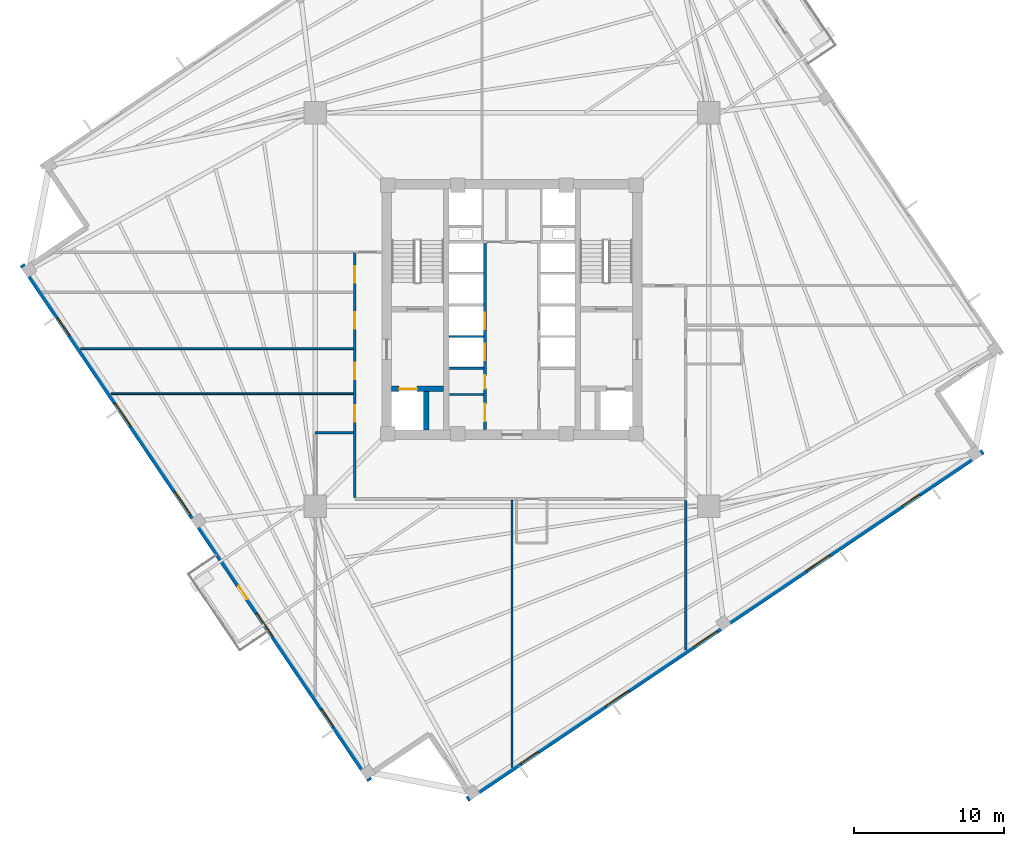
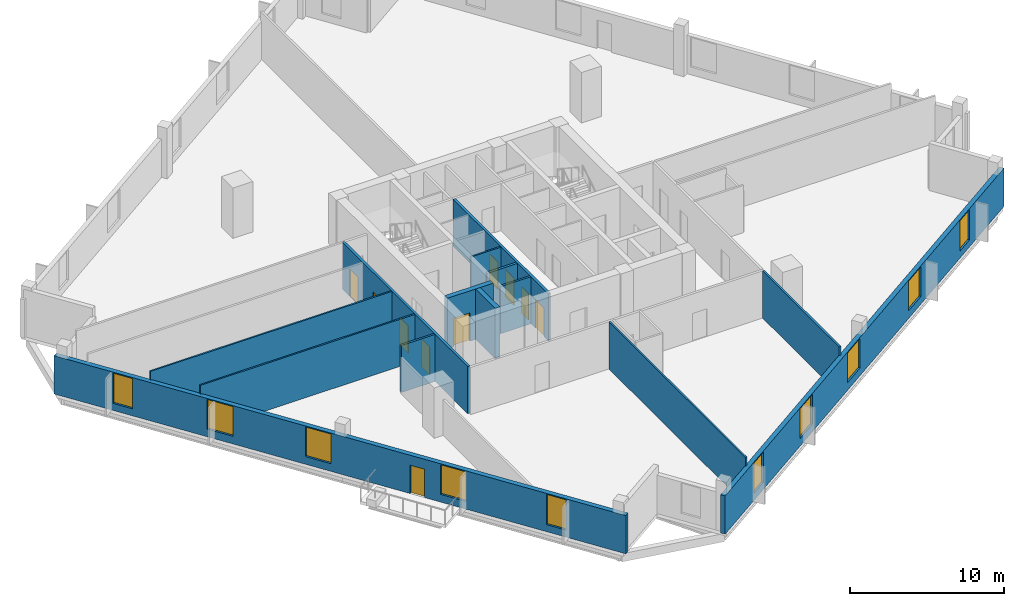
# One storey, part 3 of 9: 14 walls, 10 doors, 10 windows, 20 openings.
"""IFC4 building model written with IfcOpenShell, lengths in metres."""

import ifcopenshell
import ifcopenshell.guid

model = None  # the IFC model being written
_history = None  # IfcOwnerHistory: only IFC2X3 demands one
_inside = {}  # id of a spatial element -> (the spatial element, [elements in it])
_under = {}  # id of a project, library or spatial element -> (it, [spatial elements below it])
_declared = {}  # id of a project -> (the project, [libraries it declares])
_typed = {}  # id of a type object -> (the type object, [elements of that type])
_made_of = {}  # id of a material, layer set ... -> (it, [elements and type objects made of it])


def new_model(schema):
    """Start an empty IFC model of exactly this schema.

    Asked for "IFC4X3", IfcOpenShell would pick the latest addendum, in which some entities
    have other attributes; the version numbers below select the first issue.
    IFC2X3 requires an IfcOwnerHistory on every rooted entity: one is made here for all.
    """
    global model, _history
    if schema == "IFC4X3":
        model = ifcopenshell.file(schema_version=(4, 3, 0, 0))
    else:
        model = ifcopenshell.file(schema=schema)
    _inside.clear()
    _under.clear()
    _declared.clear()
    _typed.clear()
    _made_of.clear()
    _history = None
    if model.schema == "IFC2X3":
        org = make("IfcOrganization", Name="unknown")
        user = make(
            "IfcPersonAndOrganization",
            ThePerson=make("IfcPerson", FamilyName="unknown"),
            TheOrganization=org,
        )
        app = make(
            "IfcApplication",
            ApplicationDeveloper=org,
            Version="unknown",
            ApplicationFullName="unknown",
            ApplicationIdentifier="unknown",
        )
        _history = make(
            "IfcOwnerHistory",
            OwningUser=user,
            OwningApplication=app,
            ChangeAction="ADDED",
            CreationDate=0,
        )
    return model


def make(cls, **values):
    """One entity of the class cls with the attributes given. An attribute that is None is left unset."""
    return model.create_entity(
        cls, **{name: value for name, value in values.items() if value is not None}
    )


def rooted(cls, **values):
    """An entity with a GlobalId (a new one), such as an element, a storey or a relation."""
    return make(cls, GlobalId=ifcopenshell.guid.new(), OwnerHistory=_history, **values)


def si_unit(unit_type, name, prefix=None):
    """IfcSIUnit, for example si_unit("LENGTHUNIT", "METRE", prefix="MILLI")."""
    return make("IfcSIUnit", UnitType=unit_type, Prefix=prefix, Name=name)


def assignment(units):
    """IfcUnitAssignment: the units of a project."""
    return None if units is None else make("IfcUnitAssignment", Units=units)


def point(xyz):
    """IfcCartesianPoint."""
    return None if xyz is None else make("IfcCartesianPoint", Coordinates=xyz)


def direction(xyz):
    """IfcDirection."""
    return None if xyz is None else make("IfcDirection", DirectionRatios=xyz)


def frame(location, z_axis=None, x_axis=None):
    """IfcAxis2Placement3D, a coordinate frame: its origin and axes. An axis left out is left unset."""
    return make(
        "IfcAxis2Placement3D",
        Location=point(location),
        Axis=direction(z_axis),
        RefDirection=direction(x_axis),
    )


def frame_2d(location, x_axis=None):
    """IfcAxis2Placement2D, a coordinate frame in the plane: its origin and x axis."""
    return make(
        "IfcAxis2Placement2D", Location=point(location), RefDirection=direction(x_axis)
    )


def origin():
    """The frame at (0, 0, 0) with its axes left unset."""
    return frame((0.0, 0.0, 0.0))


def place(relative_to, where):
    """IfcLocalPlacement: puts the frame where relative to a parent placement (None: the world)."""
    return make(
        "IfcLocalPlacement", PlacementRelTo=relative_to, RelativePlacement=where
    )


def context(
    kind, dimensions, precision=None, world=None, true_north=None, identifier=None
):
    """IfcGeometricRepresentationContext, for example the 3D "Model" context."""
    return make(
        "IfcGeometricRepresentationContext",
        ContextIdentifier=identifier,
        ContextType=kind,
        CoordinateSpaceDimension=dimensions,
        Precision=precision,
        WorldCoordinateSystem=world,
        TrueNorth=true_north,
    )


def subcontext(parent, identifier, kind, view, scale=None):
    """IfcGeometricRepresentationSubContext, for example "Body" below "Model"."""
    return make(
        "IfcGeometricRepresentationSubContext",
        ContextIdentifier=identifier,
        ContextType=kind,
        ParentContext=parent,
        TargetScale=scale,
        TargetView=view,
    )


def project(units=None, contexts=None):
    """IfcProject with its units and contexts."""
    return rooted(
        "IfcProject",
        Name="project",
        RepresentationContexts=contexts,
        UnitsInContext=assignment(units),
    )


def spatial(cls, under=None, at=None, **own):
    """A site, building, storey or space (cls), placed at a placement, below another one or the project."""
    s = rooted(cls, ObjectPlacement=at, **own)
    if under is not None:
        _under.setdefault(under.id(), (under, []))[1].append(s)
    return s


def profile(cls, at=None, kind="AREA", **sizes):
    """A parametric profile (cls). Its sizes go by their IFC names, for example OverallWidth=200.0."""
    return make(cls, ProfileType=kind, Position=at, **sizes)


def rectangle(**sizes):
    """IfcRectangleProfileDef."""
    return profile("IfcRectangleProfileDef", **sizes)


def extrude(swept, where, along, depth):
    """IfcExtrudedAreaSolid: the profile swept, set in the frame where, extruded along a direction by depth."""
    return make(
        "IfcExtrudedAreaSolid",
        SweptArea=swept,
        Position=where,
        ExtrudedDirection=direction(along),
        Depth=depth,
    )


def shape(context_of_items, identifier, shape_type, items):
    """IfcShapeRepresentation: the items that make up one representation, for example the "Body"."""
    return make(
        "IfcShapeRepresentation",
        ContextOfItems=context_of_items,
        RepresentationIdentifier=identifier,
        RepresentationType=shape_type,
        Items=items,
    )


def source(mapping_origin, context_of_items, identifier, shape_type, items):
    """IfcRepresentationMap: a shape defined once, which mapped items show again and again."""
    return make(
        "IfcRepresentationMap",
        MappingOrigin=mapping_origin,
        MappedRepresentation=shape(context_of_items, identifier, shape_type, items),
    )


def transform(
    local_origin,
    x_axis=None,
    y_axis=None,
    z_axis=None,
    scale=None,
    scale2=None,
    scale3=None,
    uniform=True,
):
    """IfcCartesianTransformationOperator3D, or its non-uniform kind. x_axis, y_axis, z_axis: its Axis1, 2, 3."""
    if uniform:
        return make(
            "IfcCartesianTransformationOperator3D",
            Axis1=direction(x_axis),
            Axis2=direction(y_axis),
            LocalOrigin=point(local_origin),
            Scale=scale,
            Axis3=direction(z_axis),
        )
    return make(
        "IfcCartesianTransformationOperator3DnonUniform",
        Axis1=direction(x_axis),
        Axis2=direction(y_axis),
        LocalOrigin=point(local_origin),
        Scale=scale,
        Axis3=direction(z_axis),
        Scale2=scale2,
        Scale3=scale3,
    )


def mapped(mapping_source, mapping_target):
    """IfcMappedItem: shows the shape of a source again, moved by a transform."""
    return make(
        "IfcMappedItem", MappingSource=mapping_source, MappingTarget=mapping_target
    )


def material(Name=None, Category=None):
    """IfcMaterial."""
    return make("IfcMaterial", Name=Name, Category=Category)


def layer(
    of_material, thickness, ventilated=None, Name=None, Category=None, Priority=None
):
    """IfcMaterialLayer: one layer of a wall or slab, of a material (None: an air gap)."""
    return make(
        "IfcMaterialLayer",
        Material=of_material,
        LayerThickness=thickness,
        IsVentilated=ventilated,
        Name=Name,
        Category=Category,
        Priority=Priority,
    )


def layer_set(layers, Name=None):
    """IfcMaterialLayerSet."""
    return make("IfcMaterialLayerSet", MaterialLayers=layers, LayerSetName=Name)


def made_of(thing, what):
    """Note that an element or type object is made of a material, layer set ...; save() writes the relation."""
    if what is not None:
        _made_of.setdefault(what.id(), (what, []))[1].append(thing)
    return thing


def type_object(cls, material=None, **own):
    """A type object (cls), such as IfcWallType, which elements share."""
    return made_of(rooted(cls, **own), material)


def element(
    cls,
    number,
    at=None,
    inside=None,
    cuts=None,
    type_object=None,
    material=None,
    context=None,
    identifier="Body",
    shape_type=None,
    held_by="IfcProductDefinitionShape",
    body=None,
    shapes=None,
    **own,
):
    """One element of the class cls, such as IfcWall. Its Tag is "e" and its number.

    at: its placement. inside: the storey or other place that contains it. cuts: it is an
    opening in that element (IfcRelVoidsElement). A single representation is given by context,
    identifier, shape_type and body (its items); several are given by shapes. held_by: the class
    of the entity that holds the representations. save() writes the other relations.
    """
    e = rooted(cls, Tag="e%d" % number, ObjectPlacement=at, **own)
    if body is not None:
        shapes = [shape(context, identifier, shape_type, body)]
    if shapes is not None:
        e.Representation = make(held_by, Representations=shapes)
    if inside is not None:
        _inside.setdefault(inside.id(), (inside, []))[1].append(e)
    if cuts is not None:
        rooted(
            "IfcRelVoidsElement", RelatingBuildingElement=cuts, RelatedOpeningElement=e
        )
    if type_object is not None:
        _typed.setdefault(type_object.id(), (type_object, []))[1].append(e)
    return made_of(e, material)


def fill(opening, filler):
    """IfcRelFillsElement: the door or window that sits in an opening."""
    return rooted(
        "IfcRelFillsElement",
        RelatingOpeningElement=opening,
        RelatedBuildingElement=filler,
    )


def aggregate(whole, parts):
    """IfcRelAggregates: a whole, such as a stair, and the parts it consists of."""
    return rooted("IfcRelAggregates", RelatingObject=whole, RelatedObjects=parts)


def save(model, path):
    """Write the relations noted so far, then the file.

    IfcRelAggregates (storeys below a building ...), IfcRelContainedInSpatialStructure (elements
    in a storey), IfcRelDefinesByType, IfcRelAssociatesMaterial and IfcRelDeclares: one each for
    every whole, place, type object, material and project.
    """
    for whole, parts in _under.values():
        aggregate(whole, parts)
    for where, things in _inside.values():
        rooted(
            "IfcRelContainedInSpatialStructure",
            RelatedElements=things,
            RelatingStructure=where,
        )
    for kind, things in _typed.values():
        rooted("IfcRelDefinesByType", RelatedObjects=things, RelatingType=kind)
    for what, things in _made_of.values():
        rooted("IfcRelAssociatesMaterial", RelatedObjects=things, RelatingMaterial=what)
    for by, libraries in _declared.values():
        rooted("IfcRelDeclares", RelatingContext=by, RelatedDefinitions=libraries)
    model.write(path)


model = new_model("IFC4")

# Units and contexts
model_context = context("Model", 3, precision=1e-05, world=origin(), true_north=direction((0.0, 1.0)))
body_context = subcontext(model_context, "Body", "Model", "MODEL_VIEW")
ifc_project = project(units=[si_unit("LENGTHUNIT", "METRE"), si_unit("AREAUNIT", "SQUARE_METRE"), si_unit("VOLUMEUNIT", "CUBIC_METRE"), si_unit("PLANEANGLEUNIT", "RADIAN"), si_unit("MASSUNIT", "GRAM", prefix="KILO"), si_unit("THERMODYNAMICTEMPERATUREUNIT", "KELVIN")], contexts=[model_context])

# Site, building, storey
site_placement = place(None, origin())
site = spatial("IfcSite", under=ifc_project, at=site_placement, CompositionType="ELEMENT")
building_placement = place(site_placement, origin())
building = spatial("IfcBuilding", under=site, at=building_placement, Name="Kosmvard Interchange Tower", CompositionType="ELEMENT")
storey_placement = place(building_placement, frame((0.0, 0.0, 180.39990234375)))
storey = spatial("IfcBuildingStorey", under=building, at=storey_placement, Name="L43", CompositionType="ELEMENT", Elevation=180.39990234375)

# Walls
ifc_material_1 = material(Name="Acoustic gypsum partition system")
ifc_layer_1 = layer(ifc_material_1, 0.14990234375, Name="Acoustic gypsum partition system")
ifc_layer_set_1 = layer_set([ifc_layer_1], Name="Acoustic gypsum partition system")
wall_type_1 = type_object("IfcWallType", Name="Acoustic Suite & Meeting Partition 150", PredefinedType="PARTITIONING", material=ifc_layer_set_1)
wall_1_placement = place(storey_placement, frame((-10.544921875, -8.199951171875, 0.0), z_axis=(0.0, 0.0, 1.0), x_axis=(-1.0, 0.0, 0.0)))
element("IfcWall", 1, at=wall_1_placement, inside=storey, type_object=wall_type_1, Name="L43 Room Partition 06.1", PredefinedType="PARTITIONING", context=body_context, shape_type="SweptSolid", body=[
    extrude(rectangle(XDim=2.5361328125, YDim=0.14990234375, at=frame_2d((1.26806640625, 0.0))), origin(), (0.0, 0.0, 1.0), 3.739990234375),
])
wall_2_placement = place(storey_placement, frame((11.550048828125, -22.63623046875, 0.0), z_axis=(0.0, 0.0, 1.0), x_axis=(0.0, 1.0, 0.0)))
element("IfcWall", 2, at=wall_2_placement, inside=storey, type_object=wall_type_1, Name="L43 Room Partition 11.1", PredefinedType="PARTITIONING", context=body_context, shape_type="SweptSolid", body=[
    extrude(rectangle(XDim=9.941162109375, YDim=0.14990234375, at=frame_2d((4.970703125, 0.0))), origin(), (0.0, 0.0, 1.0), 3.739990234375),
])
ifc_material_2 = material(Name="Fire-rated gypsum partition system")
ifc_layer_2 = layer(ifc_material_2, 0.159912109375, Name="Fire-rated gypsum partition system")
ifc_layer_set_2 = layer_set([ifc_layer_2], Name="Fire-rated gypsum partition system")
wall_type_2 = type_object("IfcWallType", Name="Core Compartment & Shuttle Lobby Partition 160", PredefinedType="PARTITIONING", material=ifc_layer_set_2)
wall_3_placement = place(storey_placement, frame((-4.169921875, -5.64990234375, 0.0), z_axis=(0.0, 0.0, 1.0), x_axis=(1.0, 0.0, 0.0)))
element("IfcWall", 3, at=wall_3_placement, inside=storey, type_object=wall_type_2, Name="L43 Reclaimed Split W", PredefinedType="PARTITIONING", context=body_context, shape_type="SweptSolid", body=[
    extrude(rectangle(XDim=2.280029296875, YDim=0.159912109375, at=frame_2d((1.14013671875, 0.0))), origin(), (0.0, 0.0, 1.0), 3.739990234375),
])

# Wall, openings, doors
ifc_layer_3 = layer(ifc_material_2, 0.179931640625, Name="Fire-rated gypsum partition system")
ifc_layer_set_3 = layer_set([ifc_layer_3], Name="Fire-rated gypsum partition system")
wall_type_3 = type_object("IfcWallType", Name="Corridor & Hotel Compartment Partition 180", PredefinedType="PARTITIONING", material=ifc_layer_set_3)
wall_4_placement = place(storey_placement, frame((-1.7900390625, -7.97998046875, 0.0), z_axis=(0.0, 0.0, 1.0), x_axis=(0.0, 1.0, 0.0)))
wall_4 = element("IfcWall", 4, at=wall_4_placement, inside=storey, type_object=wall_type_3, Name="L43 West Lift Bank Front Wall", PredefinedType="PARTITIONING", context=body_context, shape_type="SweptSolid", body=[
    extrude(rectangle(XDim=12.3798828125, YDim=0.179931640625, at=frame_2d((6.18994140625, 0.0))), origin(), (0.0, 0.0, 1.0), 3.739990234375),
])
opening_1_placement = place(wall_4_placement, frame((4.60009765625, 0.0, 0.0)))
opening_1 = element("IfcOpeningElement", 5, at=opening_1_placement, cuts=wall_4, Name="Opening LD-PL-M1-L43", PredefinedType="OPENING", context=body_context, shape_type="SweptSolid", body=[
    extrude(rectangle(XDim=1.10009765625, YDim=2.199951171875, at=frame_2d((0.550048828125, 1.10009765625))), frame((0.0, 0.10009765625, 0.0), z_axis=(0.0, -1.0, 0.0), x_axis=(1.0, 0.0, 0.0)), (0.0, 0.0, 1.0), 0.199951171875),
])
opening_2_placement = place(wall_4_placement, frame((6.659912109375, 0.0, 0.0)))
opening_2 = element("IfcOpeningElement", 6, at=opening_2_placement, cuts=wall_4, Name="Opening LD-PL-M2-L43", PredefinedType="OPENING", context=body_context, shape_type="SweptSolid", body=[
    extrude(rectangle(XDim=1.10009765625, YDim=2.199951171875, at=frame_2d((0.550048828125, 1.10009765625))), frame((0.0, 0.10009765625, 0.0), z_axis=(0.0, -1.0, 0.0), x_axis=(1.0, 0.0, 0.0)), (0.0, 0.0, 1.0), 0.199951171875),
])
opening_3_placement = place(wall_4_placement, frame((0.550048828125, 0.0, 0.0)))
opening_3 = element("IfcOpeningElement", 7, at=opening_3_placement, cuts=wall_4, Name="Opening L43-CD1", PredefinedType="OPENING", context=body_context, shape_type="SweptSolid", body=[
    extrude(rectangle(XDim=1.14990234375, YDim=2.25, at=frame_2d((0.574951171875, 1.125))), frame((0.0, 0.10009765625, 0.0), z_axis=(0.0, -1.0, 0.0), x_axis=(1.0, 0.0, 0.0)), (0.0, 0.0, 1.0), 0.199951171875),
])
opening_4_placement = place(wall_4_placement, frame((2.719970703125, 0.0, 0.0)))
opening_4 = element("IfcOpeningElement", 8, at=opening_4_placement, cuts=wall_4, Name="Opening L43-CD2", PredefinedType="OPENING", context=body_context, shape_type="SweptSolid", body=[
    extrude(rectangle(XDim=0.8798828125, YDim=2.10009765625, at=frame_2d((0.43994140625, 1.050048828125))), frame((0.0, 0.10009765625, 0.0), z_axis=(0.0, -1.0, 0.0), x_axis=(1.0, 0.0, 0.0)), (0.0, 0.0, 1.0), 0.199951171875),
])
ifc_material_3 = material(Name="Painted fire-rated steel leaf", Category="steel")
door_type_1 = type_object("IfcDoorType", Name="Plant & Riser Fire Door 1150x2250 EI60", OperationType="NOTDEFINED", PredefinedType="DOOR", material=ifc_material_3)
shared_shape_1 = source(origin(), body_context, "Body", "SweptSolid", [
    extrude(rectangle(XDim=1.14990234375, YDim=2.25, at=frame_2d((0.574951171875, 1.125))), frame((0.0, 0.02490234375, 0.0), z_axis=(0.0, -1.0, 0.0), x_axis=(1.0, 0.0, 0.0)), (0.0, 0.0, 1.0), 0.050048828125),
])
door_1_placement = place(opening_3_placement, origin())
door_1 = element("IfcDoor", 9, at=door_1_placement, inside=storey, type_object=door_type_1, Name="L43 Core Archive Door", OperationType="SINGLE_SWING_LEFT", OverallHeight=2.25, OverallWidth=1.14990234375, PredefinedType="DOOR", context=body_context, shape_type="MappedRepresentation", body=[
    mapped(shared_shape_1, transform((0.0, 0.0, 0.0), scale=1.0)),
])
fill(opening_3, door_1)
ifc_material_4 = material(Name="Brushed stainless steel sliding leaf", Category="steel")
door_type_2 = type_object("IfcDoorType", Name="Passenger Lift Sliding Landing Door 1100x2200 EI60", OperationType="DOUBLE_DOOR_SLIDING", PredefinedType="DOOR", material=ifc_material_4)
shared_shape_2 = source(origin(), body_context, "Body", "SweptSolid", [
    extrude(rectangle(XDim=1.10009765625, YDim=2.199951171875, at=frame_2d((0.550048828125, 1.10009765625))), frame((0.0, 0.02490234375, 0.0), z_axis=(0.0, -1.0, 0.0), x_axis=(1.0, 0.0, 0.0)), (0.0, 0.0, 1.0), 0.050048828125),
])
door_2_placement = place(opening_1_placement, frame((1.10009765625, 0.0, 0.0), z_axis=(0.0, 0.0, 1.0), x_axis=(-1.0, 0.0, 0.0)))
door_2 = element("IfcDoor", 10, at=door_2_placement, inside=storey, type_object=door_type_2, Name="Lift PL-M1 Landing Door L43", OperationType="DOUBLE_DOOR_SLIDING", OverallHeight=2.199951171875, OverallWidth=1.10009765625, PredefinedType="DOOR", context=body_context, shape_type="MappedRepresentation", body=[
    mapped(shared_shape_2, transform((0.0, 0.0, 0.0), scale=1.0)),
])
fill(opening_1, door_2)
door_3_placement = place(opening_2_placement, frame((1.10009765625, 0.0, 0.0), z_axis=(0.0, 0.0, 1.0), x_axis=(-1.0, 0.0, 0.0)))
door_3 = element("IfcDoor", 11, at=door_3_placement, inside=storey, type_object=door_type_2, Name="Lift PL-M2 Landing Door L43", OperationType="DOUBLE_DOOR_SLIDING", OverallHeight=2.199951171875, OverallWidth=1.10009765625, PredefinedType="DOOR", context=body_context, shape_type="MappedRepresentation", body=[
    mapped(shared_shape_2, transform((0.0, 0.0, 0.0), scale=1.0)),
])
fill(opening_2, door_3)
ifc_material_5 = material(Name="Painted fire-rated timber leaf", Category="wood")
door_type_3 = type_object("IfcDoorType", Name="Core Cupboard Fire Door 880x2100 EI30", OperationType="NOTDEFINED", PredefinedType="DOOR", material=ifc_material_5)
shared_shape_3 = source(origin(), body_context, "Body", "SweptSolid", [
    extrude(rectangle(XDim=0.8798828125, YDim=2.10009765625, at=frame_2d((0.43994140625, 1.050048828125))), frame((0.0, 0.02490234375, 0.0), z_axis=(0.0, -1.0, 0.0), x_axis=(1.0, 0.0, 0.0)), (0.0, 0.0, 1.0), 0.050048828125),
])
door_4_placement = place(opening_4_placement, origin())
door_4 = element("IfcDoor", 12, at=door_4_placement, inside=storey, type_object=door_type_3, Name="L43 Core Supplies Door", OperationType="SINGLE_SWING_RIGHT", OverallHeight=2.10009765625, OverallWidth=0.8798828125, PredefinedType="DOOR", context=body_context, shape_type="MappedRepresentation", body=[
    mapped(shared_shape_3, transform((0.0, 0.0, 0.0), scale=1.0)),
])
fill(opening_4, door_4)

wall_5_placement = place(storey_placement, frame((-10.449951171875, -12.5, 0.0), z_axis=(0.0, 0.0, 1.0), x_axis=(0.0, 1.0, 0.0)))
wall_5 = element("IfcWall", 13, at=wall_5_placement, inside=storey, type_object=wall_type_3, Name="L43 Corridor Wall CW", PredefinedType="PARTITIONING", context=body_context, shape_type="SweptSolid", body=[
    extrude(rectangle(XDim=16.300048828125, YDim=0.179931640625, at=frame_2d((8.14990234375, 0.0))), origin(), (0.0, 0.0, 1.0), 3.739990234375),
])
opening_5_placement = place(wall_5_placement, frame((14.260498046875, 0.0, 0.0)))
opening_5 = element("IfcOpeningElement", 14, at=opening_5_placement, cuts=wall_5, Name="Opening L43-D03", PredefinedType="OPENING", context=body_context, shape_type="SweptSolid", body=[
    extrude(rectangle(XDim=1.10009765625, YDim=2.199951171875, at=frame_2d((0.550048828125, 1.10009765625))), frame((0.0, 0.10009765625, 0.0), z_axis=(0.0, -1.0, 0.0), x_axis=(1.0, 0.0, 0.0)), (0.0, 0.0, 1.0), 0.199951171875),
])
opening_6_placement = place(wall_5_placement, frame((11.22509765625, 0.0, 0.0)))
opening_6 = element("IfcOpeningElement", 15, at=opening_6_placement, cuts=wall_5, Name="Opening L43-D07", PredefinedType="OPENING", context=body_context, shape_type="SweptSolid", body=[
    extrude(rectangle(XDim=1.10009765625, YDim=2.199951171875, at=frame_2d((0.550048828125, 1.10009765625))), frame((0.0, 0.10009765625, 0.0), z_axis=(0.0, -1.0, 0.0), x_axis=(1.0, 0.0, 0.0)), (0.0, 0.0, 1.0), 0.199951171875),
])
opening_7_placement = place(wall_5_placement, frame((7.85009765625, 0.0, 0.0)))
opening_7 = element("IfcOpeningElement", 16, at=opening_7_placement, cuts=wall_5, Name="Opening L43-D08", PredefinedType="OPENING", context=body_context, shape_type="SweptSolid", body=[
    extrude(rectangle(XDim=1.10009765625, YDim=2.199951171875, at=frame_2d((0.550048828125, 1.10009765625))), frame((0.0, 0.10009765625, 0.0), z_axis=(0.0, -1.0, 0.0), x_axis=(1.0, 0.0, 0.0)), (0.0, 0.0, 1.0), 0.199951171875),
])
opening_8_placement = place(wall_5_placement, frame((5.050048828125, 0.0, 0.0)))
opening_8 = element("IfcOpeningElement", 17, at=opening_8_placement, cuts=wall_5, Name="Opening L43-D09", PredefinedType="OPENING", context=body_context, shape_type="SweptSolid", body=[
    extrude(rectangle(XDim=1.10009765625, YDim=2.199951171875, at=frame_2d((0.550048828125, 1.10009765625))), frame((0.0, 0.10009765625, 0.0), z_axis=(0.0, -1.0, 0.0), x_axis=(1.0, 0.0, 0.0)), (0.0, 0.0, 1.0), 0.199951171875),
])
ifc_material_6 = material(Name="Engineered oak fire-rated timber", Category="wood")
door_type_4 = type_object("IfcDoorType", Name="Office Suite Entrance Door 1100x2200 FD30S", OperationType="NOTDEFINED", PredefinedType="DOOR", material=ifc_material_6)
door_5_placement = place(opening_5_placement, origin())
door_5 = element("IfcDoor", 18, at=door_5_placement, inside=storey, type_object=door_type_4, Name="L43 Staff Wellness Clinic Door", OperationType="SINGLE_SWING_LEFT", OverallHeight=2.199951171875, OverallWidth=1.10009765625, PredefinedType="DOOR", context=body_context, shape_type="MappedRepresentation", body=[
    mapped(shared_shape_2, transform((0.0, 0.0, 0.0), scale=1.0)),
])
fill(opening_5, door_5)
door_6_placement = place(opening_6_placement, origin())
door_6 = element("IfcDoor", 19, at=door_6_placement, inside=storey, type_object=door_type_4, Name="L43 West Lead Engineer Office 1 Door", OperationType="SINGLE_SWING_LEFT", OverallHeight=2.199951171875, OverallWidth=1.10009765625, PredefinedType="DOOR", context=body_context, shape_type="MappedRepresentation", body=[
    mapped(shared_shape_2, transform((0.0, 0.0, 0.0), scale=1.0)),
])
fill(opening_6, door_6)
door_7_placement = place(opening_7_placement, origin())
door_7 = element("IfcDoor", 20, at=door_7_placement, inside=storey, type_object=door_type_4, Name="L43 West Security Office 2 Door", OperationType="SINGLE_SWING_RIGHT", OverallHeight=2.199951171875, OverallWidth=1.10009765625, PredefinedType="DOOR", context=body_context, shape_type="MappedRepresentation", body=[
    mapped(shared_shape_2, transform((0.0, 0.0, 0.0), scale=1.0)),
])
fill(opening_7, door_7)
door_8_placement = place(opening_8_placement, origin())
door_8 = element("IfcDoor", 21, at=door_8_placement, inside=storey, type_object=door_type_4, Name="L43 Cafe Servery Kitchen Door", OperationType="SINGLE_SWING_LEFT", OverallHeight=2.199951171875, OverallWidth=1.10009765625, PredefinedType="DOOR", context=body_context, shape_type="MappedRepresentation", body=[
    mapped(shared_shape_2, transform((0.0, 0.0, 0.0), scale=1.0)),
])
fill(opening_8, door_8)

# Wall, openings, windows
ifc_material_7 = material(Name="Precast concrete C45/55", Category="concrete")
ifc_layer_4 = layer(ifc_material_7, 0.340087890625, Name="Precast concrete C45/55")
ifc_layer_set_4 = layer_set([ifc_layer_4], Name="Precast concrete C45/55")
wall_type_4 = type_object("IfcWallType", Name="Mid Tower Precast Pier Wall 340 C45/55", PredefinedType="STANDARD", material=ifc_layer_set_4)
wall_6_placement = place(storey_placement, frame((-2.971923828125, -32.55810546875, 0.0), z_axis=(0.0, 0.0, 1.0), x_axis=(0.829036218961, 0.559194910251, 0.0)))
wall_6 = element("IfcWall", 22, at=wall_6_placement, inside=storey, type_object=wall_type_4, Name="L43 Precast Facade Wall F-S", PredefinedType="STANDARD", context=body_context, shape_type="SweptSolid", body=[
    extrude(rectangle(XDim=41.340087890625, YDim=0.340087890625, at=frame_2d((20.669921875, 0.0))), origin(), (0.0, 0.0, 1.0), 3.0400390625),
])
opening_9_placement = place(wall_6_placement, frame((4.2607421875, 0.0, 0.56005859375)))
opening_9 = element("IfcOpeningElement", 23, at=opening_9_placement, cuts=wall_6, Name="Opening L43-W01", PredefinedType="OPENING", context=body_context, shape_type="SweptSolid", body=[
    extrude(rectangle(XDim=1.39990234375, YDim=2.39990234375, at=frame_2d((0.699951171875, 1.199951171875))), frame((0.0, 0.18017578125, 0.0), z_axis=(0.0, -1.0, 0.0), x_axis=(1.0, 0.0, 0.0)), (0.0, 0.0, 1.0), 0.360107421875),
])
opening_10_placement = place(wall_6_placement, frame((11.063720703125, 0.0, 0.610107421875)))
opening_10 = element("IfcOpeningElement", 24, at=opening_10_placement, cuts=wall_6, Name="Opening L43-W02", PredefinedType="OPENING", context=body_context, shape_type="SweptSolid", body=[
    extrude(rectangle(XDim=1.85009765625, YDim=2.35009765625, at=frame_2d((0.925048828125, 1.175048828125))), frame((0.0, 0.18017578125, 0.0), z_axis=(0.0, -1.0, 0.0), x_axis=(1.0, 0.0, 0.0)), (0.0, 0.0, 1.0), 0.360107421875),
])
opening_11_placement = place(wall_6_placement, frame((18.168212890625, 0.0, 0.610107421875)))
opening_11 = element("IfcOpeningElement", 25, at=opening_11_placement, cuts=wall_6, Name="Opening L43-W03", PredefinedType="OPENING", context=body_context, shape_type="SweptSolid", body=[
    extrude(rectangle(XDim=1.85009765625, YDim=2.35009765625, at=frame_2d((0.925048828125, 1.175048828125))), frame((0.0, 0.18017578125, 0.0), z_axis=(0.0, -1.0, 0.0), x_axis=(1.0, 0.0, 0.0)), (0.0, 0.0, 1.0), 0.360107421875),
])
opening_12_placement = place(wall_6_placement, frame((27.186279296875, 0.0, 0.610107421875)))
opening_12 = element("IfcOpeningElement", 26, at=opening_12_placement, cuts=wall_6, Name="Opening L43-W04", PredefinedType="OPENING", context=body_context, shape_type="SweptSolid", body=[
    extrude(rectangle(XDim=1.85009765625, YDim=2.35009765625, at=frame_2d((0.925048828125, 1.175048828125))), frame((0.0, 0.18017578125, 0.0), z_axis=(0.0, -1.0, 0.0), x_axis=(1.0, 0.0, 0.0)), (0.0, 0.0, 1.0), 0.360107421875),
])
opening_13_placement = place(wall_6_placement, frame((34.852294921875, 0.0, 0.56005859375)))
opening_13 = element("IfcOpeningElement", 27, at=opening_13_placement, cuts=wall_6, Name="Opening L43-W05", PredefinedType="OPENING", context=body_context, shape_type="SweptSolid", body=[
    extrude(rectangle(XDim=1.39990234375, YDim=2.39990234375, at=frame_2d((0.699951171875, 1.199951171875))), frame((0.0, 0.18017578125, 0.0), z_axis=(0.0, -1.0, 0.0), x_axis=(1.0, 0.0, 0.0)), (0.0, 0.0, 1.0), 0.360107421875),
])
ifc_material_8 = material(Name="Low-E solar-control double glazing", Category="glass")
window_type_1 = type_object("IfcWindowType", Name="Notched Corner Feature Window 1400x2400", PartitioningType="SINGLE_PANEL", PredefinedType="WINDOW", material=ifc_material_8)
shared_shape_4 = source(origin(), body_context, "Body", "SweptSolid", [
    extrude(rectangle(XDim=1.39990234375, YDim=2.39990234375, at=frame_2d((0.699951171875, 1.199951171875))), frame((0.0, 0.030029296875, 0.0), z_axis=(0.0, -1.0, 0.0), x_axis=(1.0, 0.0, 0.0)), (0.0, 0.0, 1.0), 0.06005859375),
])
window_1_placement = place(opening_9_placement, origin())
window_1 = element("IfcWindow", 28, at=window_1_placement, inside=storey, type_object=window_type_1, Name="L43 Facade Punched Window 01", OverallHeight=2.39990234375, OverallWidth=1.39990234375, PartitioningType="SINGLE_PANEL", PredefinedType="WINDOW", context=body_context, shape_type="MappedRepresentation", body=[
    mapped(shared_shape_4, transform((0.0, 0.0, 0.0), scale=1.0)),
])
fill(opening_9, window_1)
window_2_placement = place(opening_13_placement, origin())
window_2 = element("IfcWindow", 29, at=window_2_placement, inside=storey, type_object=window_type_1, Name="L43 Facade Punched Window 05", OverallHeight=2.39990234375, OverallWidth=1.39990234375, PartitioningType="SINGLE_PANEL", PredefinedType="WINDOW", context=body_context, shape_type="MappedRepresentation", body=[
    mapped(shared_shape_4, transform((0.0, 0.0, 0.0), scale=1.0)),
])
fill(opening_13, window_2)
window_type_2 = type_object("IfcWindowType", Name="Zone 3 Office Punched Window 1850x2350", PartitioningType="SINGLE_PANEL", PredefinedType="WINDOW", material=ifc_material_8)
shared_shape_5 = source(origin(), body_context, "Body", "SweptSolid", [
    extrude(rectangle(XDim=1.85009765625, YDim=2.35009765625, at=frame_2d((0.925048828125, 1.175048828125))), frame((0.0, 0.030029296875, 0.0), z_axis=(0.0, -1.0, 0.0), x_axis=(1.0, 0.0, 0.0)), (0.0, 0.0, 1.0), 0.06005859375),
])
window_3_placement = place(opening_10_placement, origin())
window_3 = element("IfcWindow", 30, at=window_3_placement, inside=storey, type_object=window_type_2, Name="L43 Facade Punched Window 02", OverallHeight=2.35009765625, OverallWidth=1.85009765625, PartitioningType="SINGLE_PANEL", PredefinedType="WINDOW", context=body_context, shape_type="MappedRepresentation", body=[
    mapped(shared_shape_5, transform((0.0, 0.0, 0.0), scale=1.0)),
])
fill(opening_10, window_3)
window_4_placement = place(opening_11_placement, origin())
window_4 = element("IfcWindow", 31, at=window_4_placement, inside=storey, type_object=window_type_2, Name="L43 Facade Punched Window 03", OverallHeight=2.35009765625, OverallWidth=1.85009765625, PartitioningType="SINGLE_PANEL", PredefinedType="WINDOW", context=body_context, shape_type="MappedRepresentation", body=[
    mapped(shared_shape_5, transform((0.0, 0.0, 0.0), scale=1.0)),
])
fill(opening_11, window_4)
window_5_placement = place(opening_12_placement, origin())
window_5 = element("IfcWindow", 32, at=window_5_placement, inside=storey, type_object=window_type_2, Name="L43 Facade Punched Window 04", OverallHeight=2.35009765625, OverallWidth=1.85009765625, PartitioningType="SINGLE_PANEL", PredefinedType="WINDOW", context=body_context, shape_type="MappedRepresentation", body=[
    mapped(shared_shape_5, transform((0.0, 0.0, 0.0), scale=1.0)),
])
fill(opening_12, window_5)

# Wall, openings, door, windows
wall_7_placement = place(storey_placement, frame((-32.55810546875, 2.971923828125, 0.0), z_axis=(0.0, 0.0, 1.0), x_axis=(0.559194910251, -0.829036218961, 0.0)))
wall_7 = element("IfcWall", 33, at=wall_7_placement, inside=storey, type_object=wall_type_4, Name="L43 Precast Facade Wall F-W", PredefinedType="STANDARD", context=body_context, shape_type="SweptSolid", body=[
    extrude(rectangle(XDim=41.340087890625, YDim=0.340087890625, at=frame_2d((20.669921875, 0.0))), origin(), (0.0, 0.0, 1.0), 3.0400390625),
])
opening_14_placement = place(wall_7_placement, frame((25.7451171875, 0.0, 0.0)))
opening_14 = element("IfcOpeningElement", 34, at=opening_14_placement, cuts=wall_7, Name="Opening L43-BDW", PredefinedType="OPENING", context=body_context, shape_type="SweptSolid", body=[
    extrude(rectangle(XDim=1.050048828125, YDim=2.25, at=frame_2d((0.52490234375, 1.125))), frame((0.0, 0.18017578125, 0.0), z_axis=(0.0, -1.0, 0.0), x_axis=(1.0, 0.0, 0.0)), (0.0, 0.0, 1.0), 0.360107421875),
])
opening_15_placement = place(wall_7_placement, frame((4.2607421875, 0.0, 0.56005859375)))
opening_15 = element("IfcOpeningElement", 35, at=opening_15_placement, cuts=wall_7, Name="Opening L43-W16", PredefinedType="OPENING", context=body_context, shape_type="SweptSolid", body=[
    extrude(rectangle(XDim=1.39990234375, YDim=2.39990234375, at=frame_2d((0.699951171875, 1.199951171875))), frame((0.0, 0.18017578125, 0.0), z_axis=(0.0, -1.0, 0.0), x_axis=(1.0, 0.0, 0.0)), (0.0, 0.0, 1.0), 0.360107421875),
])
opening_16_placement = place(wall_7_placement, frame((11.063720703125, 0.0, 0.610107421875)))
opening_16 = element("IfcOpeningElement", 36, at=opening_16_placement, cuts=wall_7, Name="Opening L43-W17", PredefinedType="OPENING", context=body_context, shape_type="SweptSolid", body=[
    extrude(rectangle(XDim=1.85009765625, YDim=2.35009765625, at=frame_2d((0.925048828125, 1.175048828125))), frame((0.0, 0.18017578125, 0.0), z_axis=(0.0, -1.0, 0.0), x_axis=(1.0, 0.0, 0.0)), (0.0, 0.0, 1.0), 0.360107421875),
])
opening_17_placement = place(wall_7_placement, frame((18.168212890625, 0.0, 0.610107421875)))
opening_17 = element("IfcOpeningElement", 37, at=opening_17_placement, cuts=wall_7, Name="Opening L43-W18", PredefinedType="OPENING", context=body_context, shape_type="SweptSolid", body=[
    extrude(rectangle(XDim=1.85009765625, YDim=2.35009765625, at=frame_2d((0.925048828125, 1.175048828125))), frame((0.0, 0.18017578125, 0.0), z_axis=(0.0, -1.0, 0.0), x_axis=(1.0, 0.0, 0.0)), (0.0, 0.0, 1.0), 0.360107421875),
])
opening_18_placement = place(wall_7_placement, frame((27.936279296875, 0.0, 0.610107421875)))
opening_18 = element("IfcOpeningElement", 38, at=opening_18_placement, cuts=wall_7, Name="Opening L43-W19", PredefinedType="OPENING", context=body_context, shape_type="SweptSolid", body=[
    extrude(rectangle(XDim=1.85009765625, YDim=2.35009765625, at=frame_2d((0.925048828125, 1.175048828125))), frame((0.0, 0.18017578125, 0.0), z_axis=(0.0, -1.0, 0.0), x_axis=(1.0, 0.0, 0.0)), (0.0, 0.0, 1.0), 0.360107421875),
])
opening_19_placement = place(wall_7_placement, frame((35.602294921875, 0.0, 0.56005859375)))
opening_19 = element("IfcOpeningElement", 39, at=opening_19_placement, cuts=wall_7, Name="Opening L43-W20", PredefinedType="OPENING", context=body_context, shape_type="SweptSolid", body=[
    extrude(rectangle(XDim=1.39990234375, YDim=2.39990234375, at=frame_2d((0.699951171875, 1.199951171875))), frame((0.0, 0.18017578125, 0.0), z_axis=(0.0, -1.0, 0.0), x_axis=(1.0, 0.0, 0.0)), (0.0, 0.0, 1.0), 0.360107421875),
])
ifc_material_9 = material(Name="Anodised aluminium and safety glass", Category="aluminium")
door_type_5 = type_object("IfcDoorType", Name="Tree-Balcony Glazed Door 1050x2250", OperationType="NOTDEFINED", PredefinedType="DOOR", material=ifc_material_9)
shared_shape_6 = source(origin(), body_context, "Body", "SweptSolid", [
    extrude(rectangle(XDim=1.050048828125, YDim=2.25, at=frame_2d((0.52490234375, 1.125))), frame((0.0, 0.02490234375, 0.0), z_axis=(0.0, -1.0, 0.0), x_axis=(1.0, 0.0, 0.0)), (0.0, 0.0, 1.0), 0.050048828125),
])
door_9_placement = place(opening_14_placement, origin())
door_9 = element("IfcDoor", 40, at=door_9_placement, inside=storey, type_object=door_type_5, Name="L43 Tree-Balcony Door BAL-L43-W", OperationType="SINGLE_SWING_RIGHT", OverallHeight=2.25, OverallWidth=1.050048828125, PredefinedType="DOOR", context=body_context, shape_type="MappedRepresentation", body=[
    mapped(shared_shape_6, transform((0.0, 0.0, 0.0), scale=1.0)),
])
fill(opening_14, door_9)
window_6_placement = place(opening_15_placement, origin())
window_6 = element("IfcWindow", 41, at=window_6_placement, inside=storey, type_object=window_type_1, Name="L43 Facade Punched Window 16", OverallHeight=2.39990234375, OverallWidth=1.39990234375, PartitioningType="SINGLE_PANEL", PredefinedType="WINDOW", context=body_context, shape_type="MappedRepresentation", body=[
    mapped(shared_shape_4, transform((0.0, 0.0, 0.0), scale=1.0)),
])
fill(opening_15, window_6)
window_7_placement = place(opening_19_placement, origin())
window_7 = element("IfcWindow", 42, at=window_7_placement, inside=storey, type_object=window_type_1, Name="L43 Facade Punched Window 20", OverallHeight=2.39990234375, OverallWidth=1.39990234375, PartitioningType="SINGLE_PANEL", PredefinedType="WINDOW", context=body_context, shape_type="MappedRepresentation", body=[
    mapped(shared_shape_4, transform((0.0, 0.0, 0.0), scale=1.0)),
])
fill(opening_19, window_7)
window_8_placement = place(opening_16_placement, origin())
window_8 = element("IfcWindow", 43, at=window_8_placement, inside=storey, type_object=window_type_2, Name="L43 Facade Punched Window 17", OverallHeight=2.35009765625, OverallWidth=1.85009765625, PartitioningType="SINGLE_PANEL", PredefinedType="WINDOW", context=body_context, shape_type="MappedRepresentation", body=[
    mapped(shared_shape_5, transform((0.0, 0.0, 0.0), scale=1.0)),
])
fill(opening_16, window_8)
window_9_placement = place(opening_17_placement, origin())
window_9 = element("IfcWindow", 44, at=window_9_placement, inside=storey, type_object=window_type_2, Name="L43 Facade Punched Window 18", OverallHeight=2.35009765625, OverallWidth=1.85009765625, PartitioningType="SINGLE_PANEL", PredefinedType="WINDOW", context=body_context, shape_type="MappedRepresentation", body=[
    mapped(shared_shape_5, transform((0.0, 0.0, 0.0), scale=1.0)),
])
fill(opening_17, window_9)
window_10_placement = place(opening_18_placement, origin())
window_10 = element("IfcWindow", 45, at=window_10_placement, inside=storey, type_object=window_type_2, Name="L43 Facade Punched Window 19", OverallHeight=2.35009765625, OverallWidth=1.85009765625, PartitioningType="SINGLE_PANEL", PredefinedType="WINDOW", context=body_context, shape_type="MappedRepresentation", body=[
    mapped(shared_shape_5, transform((0.0, 0.0, 0.0), scale=1.0)),
])
fill(opening_18, window_10)

# Walls
ifc_material_10 = material(Name="Gypsum board partition system")
ifc_layer_5 = layer(ifc_material_10, 0.1201171875, Name="Gypsum board partition system")
ifc_layer_set_5 = layer_set([ifc_layer_5], Name="Gypsum board partition system")
wall_type_5 = type_object("IfcWallType", Name="Office Cellular Partition 120", PredefinedType="PARTITIONING", material=ifc_layer_set_5)
wall_8_placement = place(storey_placement, frame((-28.673095703125, -2.60009765625, 0.0), z_axis=(0.0, 0.0, 1.0), x_axis=(1.0, 0.0, 0.0)))
element("IfcWall", 46, at=wall_8_placement, inside=storey, type_object=wall_type_5, Name="L43 Room Partition 08.1", PredefinedType="PARTITIONING", context=body_context, shape_type="SweptSolid", body=[
    extrude(rectangle(XDim=18.128173828125, YDim=0.1201171875, at=frame_2d((9.06396484375, 0.0))), origin(), (0.0, 0.0, 1.0), 3.739990234375),
])
wall_9_placement = place(storey_placement, frame((-26.649658203125, -5.60009765625, 0.0), z_axis=(0.0, 0.0, 1.0), x_axis=(1.0, 0.0, 0.0)))
element("IfcWall", 47, at=wall_9_placement, inside=storey, type_object=wall_type_5, Name="L43 Room Partition 09.1", PredefinedType="PARTITIONING", context=body_context, shape_type="SweptSolid", body=[
    extrude(rectangle(XDim=16.104736328125, YDim=0.1201171875, at=frame_2d((8.05224609375, 0.0))), origin(), (0.0, 0.0, 1.0), 3.739990234375),
])
wall_10_placement = place(storey_placement, frame((0.0, -30.4267578125, 0.0), z_axis=(0.0, 0.0, 1.0), x_axis=(0.0, 1.0, 0.0)))
element("IfcWall", 48, at=wall_10_placement, inside=storey, type_object=wall_type_5, Name="L43 Room Partition 10.1", PredefinedType="PARTITIONING", context=body_context, shape_type="SweptSolid", body=[
    extrude(rectangle(XDim=17.731689453125, YDim=0.1201171875, at=frame_2d((8.86572265625, 0.0))), origin(), (0.0, 0.0, 1.0), 3.739990234375),
])
ifc_material_11 = material(Name="Concrete blockwork masonry", Category="masonry")
ifc_layer_6 = layer(ifc_material_11, 0.179931640625, Name="Concrete blockwork masonry")
ifc_layer_set_6 = layer_set([ifc_layer_6], Name="Concrete blockwork masonry")
wall_type_6 = type_object("IfcWallType", Name="Riser & Lift Bank Divider Wall 180", PredefinedType="PARTITIONING", material=ifc_layer_set_6)
wall_11_placement = place(storey_placement, frame((-4.169921875, -3.89990234375, 0.0), z_axis=(0.0, 0.0, 1.0), x_axis=(1.0, 0.0, 0.0)))
element("IfcWall", 49, at=wall_11_placement, inside=storey, type_object=wall_type_6, Name="L43 West Bank Divider BD1", PredefinedType="PARTITIONING", context=body_context, shape_type="SweptSolid", body=[
    extrude(rectangle(XDim=2.280029296875, YDim=0.179931640625, at=frame_2d((1.14013671875, 0.0))), origin(), (0.0, 0.0, 1.0), 3.739990234375),
])
ifc_material_12 = material(Name="Fire-rated gypsum shaftwall system")
ifc_layer_7 = layer(ifc_material_12, 0.1201171875, Name="Fire-rated gypsum shaftwall system")
ifc_layer_set_7 = layer_set([ifc_layer_7], Name="Fire-rated gypsum shaftwall system")
wall_type_7 = type_object("IfcWallType", Name="Shaft & Riser Fire Partition 120 EI60", PredefinedType="PARTITIONING", material=ifc_layer_set_7)
wall_12_placement = place(storey_placement, frame((-4.159912109375, -1.800048828125, 0.0), z_axis=(0.0, 0.0, 1.0), x_axis=(1.0, 0.0, 0.0)))
element("IfcWall", 50, at=wall_12_placement, inside=storey, type_object=wall_type_7, Name="L43 Shaft Divider PL-M1", PredefinedType="PARTITIONING", context=body_context, shape_type="SweptSolid", body=[
    extrude(rectangle(XDim=2.260009765625, YDim=0.1201171875, at=frame_2d((1.1298828125, 0.0))), origin(), (0.0, 0.0, 1.0), 3.739990234375),
])

# Wall, opening, door
ifc_material_13 = material(Name="Concrete C60/75", Category="concrete")
ifc_layer_8 = layer(ifc_material_13, 0.360107421875, Name="Concrete C60/75")
ifc_layer_set_8 = layer_set([ifc_layer_8], Name="Concrete C60/75")
wall_type_8 = type_object("IfcWallType", Name="Stair & Lift Shaft Shear Wall 360 C60/75", PredefinedType="SHEAR", material=ifc_layer_set_8)
wall_13_placement = place(storey_placement, frame((-8.0, -5.280029296875, 0.0), z_axis=(0.0, 0.0, 1.0), x_axis=(1.0, 0.0, 0.0)))
wall_13 = element("IfcWall", 51, at=wall_13_placement, inside=storey, type_object=wall_type_8, Name="L43 Shaft Shear Wall SW-FF1", PredefinedType="SHEAR", context=body_context, shape_type="SweptSolid", body=[
    extrude(rectangle(XDim=3.4599609375, YDim=0.360107421875, at=frame_2d((1.72998046875, 0.0))), origin(), (0.0, 0.0, 1.0), 4.0),
])
opening_20_placement = place(wall_13_placement, frame((0.5, 0.0, 0.0)))
opening_20 = element("IfcOpeningElement", 52, at=opening_20_placement, cuts=wall_13, Name="Opening LD-FF-1-L43", PredefinedType="OPENING", context=body_context, shape_type="SweptSolid", body=[
    extrude(rectangle(XDim=1.199951171875, YDim=2.25, at=frame_2d((0.60009765625, 1.125))), frame((0.0, 0.18994140625, 0.0), z_axis=(0.0, -1.0, 0.0), x_axis=(1.0, 0.0, 0.0)), (0.0, 0.0, 1.0), 0.380126953125),
])
door_type_6 = type_object("IfcDoorType", Name="Firefighting Lift Sliding Landing Door 1200x2250 EI120", OperationType="DOUBLE_DOOR_SLIDING", PredefinedType="DOOR", material=ifc_material_4)
shared_shape_7 = source(origin(), body_context, "Body", "SweptSolid", [
    extrude(rectangle(XDim=1.199951171875, YDim=2.25, at=frame_2d((0.60009765625, 1.125))), frame((0.0, 0.02490234375, 0.0), z_axis=(0.0, -1.0, 0.0), x_axis=(1.0, 0.0, 0.0)), (0.0, 0.0, 1.0), 0.050048828125),
])
door_10_placement = place(opening_20_placement, origin())
door_10 = element("IfcDoor", 53, at=door_10_placement, inside=storey, type_object=door_type_6, Name="Lift FF-1 Landing Door L43", OperationType="DOUBLE_DOOR_SLIDING", OverallHeight=2.25, OverallWidth=1.199951171875, PredefinedType="DOOR", context=body_context, shape_type="MappedRepresentation", body=[
    mapped(shared_shape_7, transform((0.0, 0.0, 0.0), scale=1.0)),
])
fill(opening_20, door_10)

# Wall
wall_14_placement = place(storey_placement, frame((-5.7099609375, -8.0, 0.0), z_axis=(0.0, 0.0, 1.0), x_axis=(0.0, 1.0, 0.0)))
element("IfcWall", 54, at=wall_14_placement, inside=storey, type_object=wall_type_8, Name="L43 Shaft Shear Wall SW-SM1", PredefinedType="SHEAR", context=body_context, shape_type="SweptSolid", body=[
    extrude(rectangle(XDim=2.5400390625, YDim=0.360107421875, at=frame_2d((1.27001953125, 0.0))), origin(), (0.0, 0.0, 1.0), 4.0),
])

save(model, "model.ifc")
